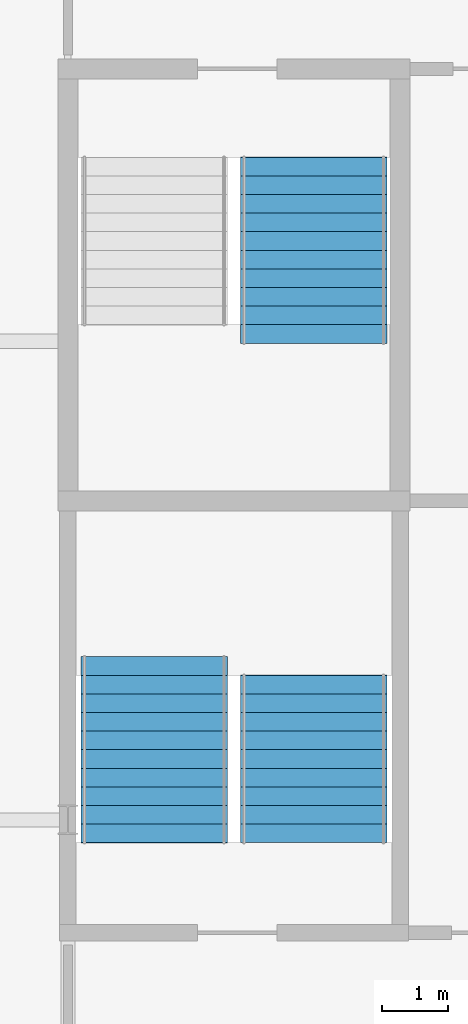
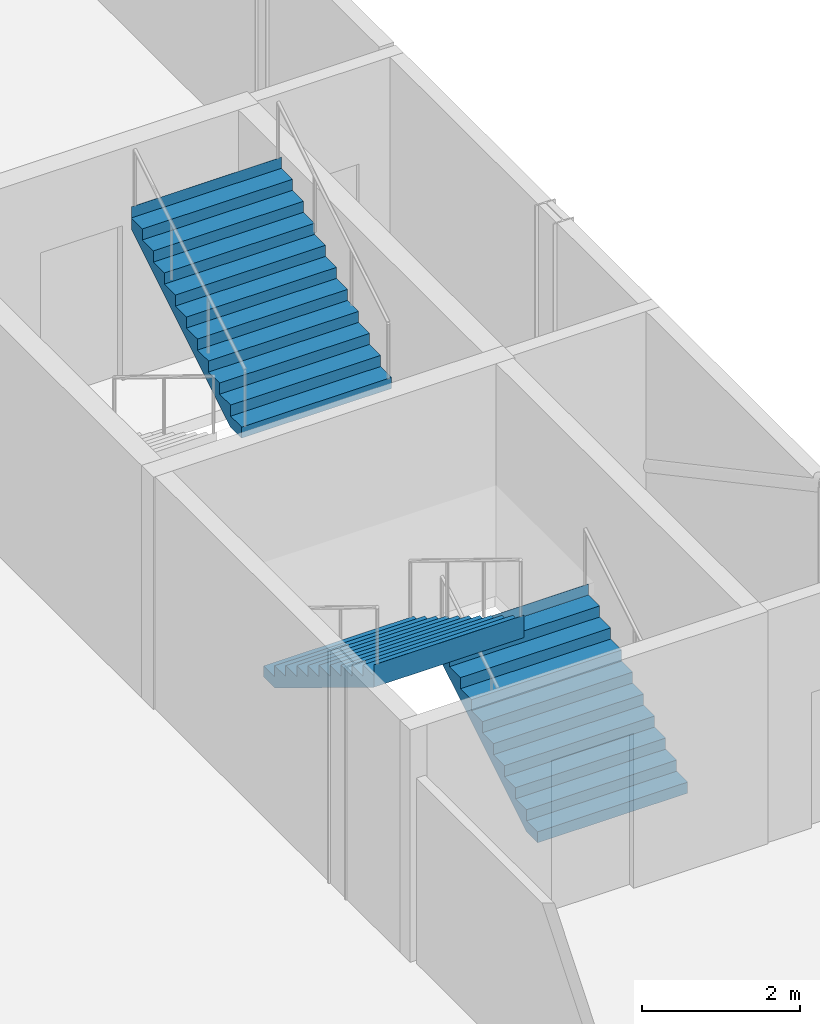
# One storey, part 70 of 90: 3 stair flights, 2 elements without a shape of their own.
"""IFC4 building model written with IfcOpenShell, lengths in metres."""

from ifc_helpers import new_model, si_unit, direction, frame, origin, place, context, subcontext, project, spatial, polyline, outline, extrude, material, type_object, element, aggregate, save


model = new_model("IFC4")

# Units and contexts
model_context = context("Model", 3, precision=1e-05, world=origin(), true_north=direction((0.0, 1.0)))
body_context = subcontext(model_context, "Body", "Model", "MODEL_VIEW")
ifc_project = project(units=[si_unit("LENGTHUNIT", "METRE"), si_unit("AREAUNIT", "SQUARE_METRE"), si_unit("VOLUMEUNIT", "CUBIC_METRE"), si_unit("PLANEANGLEUNIT", "RADIAN"), si_unit("MASSUNIT", "GRAM", prefix="KILO")], contexts=[model_context])

# Site, building, storey
site_placement = place(None, origin())
site = spatial("IfcSite", under=ifc_project, at=site_placement, CompositionType="ELEMENT")
building_placement = place(site_placement, origin())
building = spatial("IfcBuilding", under=site, at=building_placement, Name="Kupolbacken Congress Centre", CompositionType="ELEMENT")
storey_placement = place(building_placement, frame((0.0, 0.0, 3.60009765625)))
storey = spatial("IfcBuildingStorey", under=building, at=storey_placement, Name="L01", CompositionType="ELEMENT", Elevation=3.60009765625)

# Stair, stair flights
ifc_material_1 = material(Name="Concrete C30/37", Category="concrete")
stair_type = type_object("IfcStairType", Name="ST13 stair 2200", PredefinedType="TWO_STRAIGHT_RUN_STAIR", material=ifc_material_1)
stair_1_placement = place(storey_placement, origin())
stair_1 = element("IfcStair", 1, at=stair_1_placement, inside=storey, type_object=stair_type, Name="C/stair/LS4/L01", PredefinedType="NOTDEFINED")
ifc_material_2 = material(Name="Concrete C30/37", Category="concrete")
stair_flight_type_1 = type_object("IfcStairFlightType", Name="FL13 stair flight 2200 x 10 risers", PredefinedType="STRAIGHT", material=ifc_material_2)
stair_flight_1_placement = place(storey_placement, frame((82.89990234375, 93.2548828125, 0.0), z_axis=(0.0, 0.0, 1.0), x_axis=(0.0, 1.0, 0.0)))
stair_flight_1 = element("IfcStairFlight", 2, at=stair_flight_1_placement, type_object=stair_flight_type_1, Name="LS4 flight 1", NumberOfRisers=10, NumberOfTreads=9, PredefinedType="STRAIGHT", RiserHeight=0.171428571, TreadLength=0.28, context=body_context, shape_type="SweptSolid", body=[
    extrude(outline(polyline([(0.0, 0.0), (0.0, 0.0009765625), (0.0, 0.002197265625), (0.0, 0.003173828125), (0.0, 0.004150390625), (0.0, 0.00537109375), (0.0, 0.00634765625), (0.0, 0.007568359375), (0.0, 0.008544921875), (0.0, 0.009521484375), (0.0, 0.0107421875), (0.0, 0.01171875), (0.0, 0.0126953125), (0.0, 0.013916015625), (0.0, 0.014892578125), (0.0, 0.015869140625), (0.0, 0.01708984375), (0.0, 0.01806640625), (0.0, 0.019287109375), (0.0, 0.020263671875), (0.0, 0.021240234375), (0.0, 0.0224609375), (0.0, 0.0234375), (0.0, 0.0244140625), (0.0, 0.025634765625), (0.0, 0.026611328125), (0.0, 0.027587890625), (0.0, 0.02880859375), (0.0, 0.02978515625), (0.0, 0.03076171875), (0.0, 0.031982421875), (0.0, 0.032958984375), (0.0, 0.0341796875), (0.0, 0.03515625), (0.0, 0.0361328125), (0.0, 0.037353515625), (0.0, 0.038330078125), (0.0, 0.039306640625), (0.0, 0.04052734375), (0.0, 0.04150390625), (0.0, 0.04248046875), (0.0, 0.043701171875), (0.0, 0.044677734375), (0.0, 0.0458984375), (0.0, 0.046875), (0.0, 0.0478515625), (0.0, 0.049072265625), (0.0, 0.050048828125), (0.0, 0.051025390625), (0.0, 0.05224609375), (0.0, 0.05322265625), (0.0, 0.05419921875), (0.0, 0.055419921875), (0.0, 0.056396484375), (0.0, 0.0576171875), (0.0, 0.05859375), (0.0, 0.0595703125), (0.0, 0.060791015625), (0.0, 0.061767578125), (0.0, 0.062744140625), (0.0, 0.06396484375), (0.0, 0.06494140625), (0.0, 0.06591796875), (0.0, 0.067138671875), (0.0, 0.068115234375), (0.0, 0.069091796875), (0.0, 0.0703125), (0.0, 0.0712890625), (0.0, 0.072509765625), (0.0, 0.073486328125), (0.0, 0.074462890625), (0.0, 0.07568359375), (0.0, 0.07666015625), (0.0, 0.07763671875), (0.0, 0.078857421875), (0.0, 0.079833984375), (0.0, 0.080810546875), (0.0, 0.08203125), (0.0, 0.0830078125), (0.0, 0.084228515625), (0.0, 0.085205078125), (0.0, 0.086181640625), (0.0, 0.08740234375), (0.0, 0.08837890625), (0.0, 0.08935546875), (0.0, 0.090576171875), (0.0, 0.091552734375), (0.0, 0.092529296875), (0.0, 0.09375), (0.0, 0.0947265625), (0.0, 0.095947265625), (0.0, 0.096923828125), (0.0, 0.097900390625), (0.0, 0.09912109375), (0.0, 0.10009765625), (0.0, 0.10107421875), (0.0, 0.102294921875), (0.0, 0.103271484375), (0.0, 0.104248046875), (0.0, 0.10546875), (0.0, 0.1064453125), (0.0, 0.107421875), (0.0, 0.108642578125), (0.0, 0.109619140625), (0.0, 0.11083984375), (0.0, 0.11181640625), (0.0, 0.11279296875), (0.0, 0.114013671875), (0.0, 0.114990234375), (0.0, 0.115966796875), (0.0, 0.1171875), (0.0, 0.1181640625), (0.0, 0.119140625), (0.0, 0.120361328125), (0.0, 0.121337890625), (0.0, 0.12255859375), (0.0, 0.12353515625), (0.0, 0.12451171875), (0.0, 0.125732421875), (0.0, 0.126708984375), (0.0, 0.127685546875), (0.0, 0.12890625), (0.0, 0.1298828125), (0.0, 0.130859375), (0.0, 0.132080078125), (0.0, 0.133056640625), (0.0, 0.13427734375), (0.0, 0.13525390625), (0.0, 0.13623046875), (0.0, 0.137451171875), (0.0, 0.138427734375), (0.0, 0.139404296875), (0.0, 0.140625), (0.0, 0.1416015625), (0.0, 0.142578125), (0.0, 0.143798828125), (0.0, 0.144775390625), (0.0, 0.145751953125), (0.0, 0.14697265625), (0.0, 0.14794921875), (0.0, 0.149169921875), (0.0, 0.150146484375), (0.0, 0.151123046875), (0.0, 0.15234375), (0.0, 0.1533203125), (0.0, 0.154296875), (0.0, 0.155517578125), (0.0, 0.156494140625), (0.0, 0.157470703125), (0.0, 0.15869140625), (0.0, 0.15966796875), (0.0, 0.160888671875), (0.0, 0.161865234375), (0.0, 0.162841796875), (0.0, 0.1640625), (0.0, 0.1650390625), (0.0, 0.166015625), (0.0, 0.167236328125), (0.0, 0.168212890625), (0.0, 0.169189453125), (0.0, 0.17041015625), (0.0, 0.17138671875), (0.280029296875, 0.17138671875), (0.280029296875, 0.3427734375), (0.56005859375, 0.3427734375), (0.56005859375, 0.514404296875), (0.840087890625, 0.514404296875), (0.840087890625, 0.685791015625), (1.1201171875, 0.685791015625), (1.1201171875, 0.857177734375), (1.39990234375, 0.857177734375), (1.39990234375, 1.028564453125), (1.679931640625, 1.028564453125), (1.679931640625, 1.199951171875), (1.9599609375, 1.199951171875), (1.9599609375, 1.371337890625), (2.239990234375, 1.371337890625), (2.239990234375, 1.54296875), (2.52001953125, 1.54296875), (2.52001953125, 1.71435546875), (2.52197265625, 1.71435546875), (2.52197265625, 1.712158203125), (2.52197265625, 1.7099609375), (2.52197265625, 1.707763671875), (2.52197265625, 1.70556640625), (2.52197265625, 1.70361328125), (2.52197265625, 1.701416015625), (2.52197265625, 1.69921875), (2.52197265625, 1.697021484375), (2.52197265625, 1.69482421875), (2.52197265625, 1.692626953125), (2.52197265625, 1.690673828125), (2.52197265625, 1.6884765625), (2.52197265625, 1.686279296875), (2.52197265625, 1.68408203125), (2.52197265625, 1.681884765625), (2.52197265625, 1.6796875), (2.52197265625, 1.677734375), (2.52197265625, 1.675537109375), (2.52197265625, 1.67333984375), (2.52197265625, 1.671142578125), (2.52197265625, 1.6689453125), (2.52197265625, 1.666748046875), (2.52197265625, 1.664794921875), (2.52197265625, 1.66259765625), (2.52197265625, 1.660400390625), (2.52197265625, 1.658203125), (2.52197265625, 1.656005859375), (2.52197265625, 1.65380859375), (2.52197265625, 1.65185546875), (2.52197265625, 1.649658203125), (2.52197265625, 1.6474609375), (2.52197265625, 1.645263671875), (2.52197265625, 1.64306640625), (2.52197265625, 1.640869140625), (2.52197265625, 1.638916015625), (2.52197265625, 1.63671875), (2.52197265625, 1.634521484375), (2.52197265625, 1.63232421875), (2.52197265625, 1.630126953125), (2.52197265625, 1.6279296875), (2.52197265625, 1.6259765625), (2.52197265625, 1.623779296875), (2.52197265625, 1.62158203125), (2.52197265625, 1.619384765625), (2.52197265625, 1.6171875), (2.52197265625, 1.614990234375), (2.52197265625, 1.613037109375), (2.52197265625, 1.61083984375), (2.52197265625, 1.608642578125), (2.52197265625, 1.6064453125), (2.52197265625, 1.604248046875), (2.52197265625, 1.60205078125), (2.52197265625, 1.60009765625), (2.52197265625, 1.597900390625), (2.52197265625, 1.595703125), (2.52197265625, 1.593505859375), (2.52197265625, 1.59130859375), (2.52197265625, 1.589111328125), (2.52197265625, 1.587158203125), (2.52197265625, 1.5849609375), (2.52197265625, 1.582763671875), (2.52197265625, 1.58056640625), (2.52197265625, 1.578369140625), (2.52197265625, 1.576171875), (2.52197265625, 1.57421875), (2.52197265625, 1.572021484375), (2.52197265625, 1.56982421875), (2.52197265625, 1.567626953125), (2.52197265625, 1.5654296875), (2.52197265625, 1.563232421875), (2.52197265625, 1.561279296875), (2.52197265625, 1.55908203125), (2.52197265625, 1.556884765625), (2.52197265625, 1.5546875), (2.52197265625, 1.552490234375), (2.52197265625, 1.55029296875), (2.52197265625, 1.54833984375), (2.52197265625, 1.546142578125), (2.52197265625, 1.5439453125), (2.52197265625, 1.541748046875), (2.52197265625, 1.53955078125), (2.52197265625, 1.537353515625), (2.52197265625, 1.535400390625), (2.52197265625, 1.533203125), (2.52197265625, 1.531005859375), (2.52197265625, 1.52880859375), (2.52197265625, 1.526611328125), (2.52197265625, 1.5244140625), (2.52197265625, 1.5224609375), (2.52197265625, 1.520263671875), (2.52197265625, 1.51806640625), (2.52197265625, 1.515869140625), (2.52197265625, 1.513671875), (2.52197265625, 1.511474609375), (2.52197265625, 1.509521484375), (2.52197265625, 1.50732421875), (2.52197265625, 1.505126953125), (2.52197265625, 1.5029296875), (2.52197265625, 1.500732421875), (2.52197265625, 1.49853515625), (2.52197265625, 1.49658203125), (2.52197265625, 1.494384765625), (2.52197265625, 1.4921875), (2.52197265625, 1.489990234375), (2.52197265625, 1.48779296875), (2.52197265625, 1.485595703125), (2.52197265625, 1.483642578125), (2.52197265625, 1.4814453125), (2.52197265625, 1.479248046875), (2.52197265625, 1.47705078125), (2.52197265625, 1.474853515625), (2.52197265625, 1.47265625), (2.52197265625, 1.470703125), (2.52197265625, 1.468505859375), (2.52197265625, 1.46630859375), (2.52197265625, 1.464111328125), (2.52197265625, 1.4619140625), (2.52197265625, 1.459716796875), (2.52197265625, 1.457763671875), (2.52197265625, 1.45556640625), (2.52197265625, 1.453369140625), (2.52197265625, 1.451171875), (2.52197265625, 1.448974609375), (2.52197265625, 1.44677734375), (2.52197265625, 1.44482421875), (2.52197265625, 1.442626953125), (2.52197265625, 1.4404296875), (2.52197265625, 1.438232421875), (2.52197265625, 1.43603515625), (2.52197265625, 1.433837890625), (2.52197265625, 1.431884765625), (2.52197265625, 1.4296875), (2.52197265625, 1.427490234375), (2.52197265625, 1.42529296875), (2.52197265625, 1.423095703125), (2.52197265625, 1.4208984375), (2.52197265625, 1.4189453125), (2.52197265625, 1.416748046875), (2.52197265625, 1.41455078125), (2.52197265625, 1.412353515625), (2.52197265625, 1.41015625), (2.52197265625, 1.407958984375), (2.52197265625, 1.406005859375), (2.52197265625, 1.40380859375), (2.52197265625, 1.401611328125), (2.52197265625, 1.3994140625), (2.52197265625, 1.397216796875), (2.52197265625, 1.39501953125), (2.52197265625, 1.39306640625), (2.52197265625, 1.390869140625), (2.52197265625, 1.388671875), (2.52197265625, 1.386474609375), (2.52197265625, 1.38427734375), (2.52197265625, 1.382080078125), (2.52197265625, 1.380126953125), (2.52197265625, 1.3779296875), (2.52197265625, 1.375732421875), (2.52197265625, 1.37353515625), (2.52197265625, 1.371337890625), (2.52197265625, 1.369140625), (2.52197265625, 1.3671875), (0.2890625, 0.0), (0.0, 0.0)])), frame((0.0, 1.10009765625, 0.0), z_axis=(0.0, -1.0, 0.0), x_axis=(1.0, 0.0, 0.0)), (0.0, 0.0, 1.0), 2.199951171875),
])
ifc_material_3 = material(Name="Concrete C30/37", Category="concrete")
stair_flight_type_2 = type_object("IfcStairFlightType", Name="FL14 stair flight 2200 x 11 risers", PredefinedType="STRAIGHT", material=ifc_material_3)
stair_flight_2_placement = place(storey_placement, frame((80.5, 96.054931640625, 1.714111328125), z_axis=(0.0, 0.0, 1.0), x_axis=(0.0, -1.0, 0.0)))
stair_flight_2 = element("IfcStairFlight", 3, at=stair_flight_2_placement, type_object=stair_flight_type_2, Name="LS4 flight 2", NumberOfRisers=11, NumberOfTreads=10, PredefinedType="STRAIGHT", RiserHeight=0.171428571, TreadLength=0.28, context=body_context, shape_type="SweptSolid", body=[
    extrude(outline(polyline([(0.0, 0.0), (0.0, 0.0009765625), (0.0, 0.002197265625), (0.0, 0.003173828125), (0.0, 0.004150390625), (0.0, 0.00537109375), (0.0, 0.00634765625), (0.0, 0.007568359375), (0.0, 0.008544921875), (0.0, 0.009521484375), (0.0, 0.0107421875), (0.0, 0.01171875), (0.0, 0.0126953125), (0.0, 0.013916015625), (0.0, 0.014892578125), (0.0, 0.015869140625), (0.0, 0.01708984375), (0.0, 0.01806640625), (0.0, 0.019287109375), (0.0, 0.020263671875), (0.0, 0.021240234375), (0.0, 0.0224609375), (0.0, 0.0234375), (0.0, 0.0244140625), (0.0, 0.025634765625), (0.0, 0.026611328125), (0.0, 0.027587890625), (0.0, 0.02880859375), (0.0, 0.02978515625), (0.0, 0.03076171875), (0.0, 0.031982421875), (0.0, 0.032958984375), (0.0, 0.0341796875), (0.0, 0.03515625), (0.0, 0.0361328125), (0.0, 0.037353515625), (0.0, 0.038330078125), (0.0, 0.039306640625), (0.0, 0.04052734375), (0.0, 0.04150390625), (0.0, 0.04248046875), (0.0, 0.043701171875), (0.0, 0.044677734375), (0.0, 0.0458984375), (0.0, 0.046875), (0.0, 0.0478515625), (0.0, 0.049072265625), (0.0, 0.050048828125), (0.0, 0.051025390625), (0.0, 0.05224609375), (0.0, 0.05322265625), (0.0, 0.05419921875), (0.0, 0.055419921875), (0.0, 0.056396484375), (0.0, 0.0576171875), (0.0, 0.05859375), (0.0, 0.0595703125), (0.0, 0.060791015625), (0.0, 0.061767578125), (0.0, 0.062744140625), (0.0, 0.06396484375), (0.0, 0.06494140625), (0.0, 0.06591796875), (0.0, 0.067138671875), (0.0, 0.068115234375), (0.0, 0.069091796875), (0.0, 0.0703125), (0.0, 0.0712890625), (0.0, 0.072509765625), (0.0, 0.073486328125), (0.0, 0.074462890625), (0.0, 0.07568359375), (0.0, 0.07666015625), (0.0, 0.07763671875), (0.0, 0.078857421875), (0.0, 0.079833984375), (0.0, 0.080810546875), (0.0, 0.08203125), (0.0, 0.0830078125), (0.0, 0.084228515625), (0.0, 0.085205078125), (0.0, 0.086181640625), (0.0, 0.08740234375), (0.0, 0.08837890625), (0.0, 0.08935546875), (0.0, 0.090576171875), (0.0, 0.091552734375), (0.0, 0.092529296875), (0.0, 0.09375), (0.0, 0.0947265625), (0.0, 0.095947265625), (0.0, 0.096923828125), (0.0, 0.097900390625), (0.0, 0.09912109375), (0.0, 0.10009765625), (0.0, 0.10107421875), (0.0, 0.102294921875), (0.0, 0.103271484375), (0.0, 0.104248046875), (0.0, 0.10546875), (0.0, 0.1064453125), (0.0, 0.107421875), (0.0, 0.108642578125), (0.0, 0.109619140625), (0.0, 0.11083984375), (0.0, 0.11181640625), (0.0, 0.11279296875), (0.0, 0.114013671875), (0.0, 0.114990234375), (0.0, 0.115966796875), (0.0, 0.1171875), (0.0, 0.1181640625), (0.0, 0.119140625), (0.0, 0.120361328125), (0.0, 0.121337890625), (0.0, 0.12255859375), (0.0, 0.12353515625), (0.0, 0.12451171875), (0.0, 0.125732421875), (0.0, 0.126708984375), (0.0, 0.127685546875), (0.0, 0.12890625), (0.0, 0.1298828125), (0.0, 0.130859375), (0.0, 0.132080078125), (0.0, 0.133056640625), (0.0, 0.13427734375), (0.0, 0.13525390625), (0.0, 0.13623046875), (0.0, 0.137451171875), (0.0, 0.138427734375), (0.0, 0.139404296875), (0.0, 0.140625), (0.0, 0.1416015625), (0.0, 0.142578125), (0.0, 0.143798828125), (0.0, 0.144775390625), (0.0, 0.145751953125), (0.0, 0.14697265625), (0.0, 0.14794921875), (0.0, 0.149169921875), (0.0, 0.150146484375), (0.0, 0.151123046875), (0.0, 0.15234375), (0.0, 0.1533203125), (0.0, 0.154296875), (0.0, 0.155517578125), (0.0, 0.156494140625), (0.0, 0.157470703125), (0.0, 0.15869140625), (0.0, 0.15966796875), (0.0, 0.160888671875), (0.0, 0.161865234375), (0.0, 0.162841796875), (0.0, 0.1640625), (0.0, 0.1650390625), (0.0, 0.166015625), (0.0, 0.167236328125), (0.0, 0.168212890625), (0.0, 0.169189453125), (0.0, 0.17041015625), (0.0, 0.17138671875), (0.280029296875, 0.17138671875), (0.280029296875, 0.3427734375), (0.56005859375, 0.3427734375), (0.56005859375, 0.514404296875), (0.840087890625, 0.514404296875), (0.840087890625, 0.685791015625), (1.1201171875, 0.685791015625), (1.1201171875, 0.857177734375), (1.39990234375, 0.857177734375), (1.39990234375, 1.028564453125), (1.679931640625, 1.028564453125), (1.679931640625, 1.199951171875), (1.9599609375, 1.199951171875), (1.9599609375, 1.371337890625), (2.239990234375, 1.371337890625), (2.239990234375, 1.54296875), (2.52001953125, 1.54296875), (2.52001953125, 1.71435546875), (2.800048828125, 1.71435546875), (2.800048828125, 1.8857421875), (2.802001953125, 1.8857421875), (2.802001953125, 1.883544921875), (2.802001953125, 1.88134765625), (2.802001953125, 1.879150390625), (2.802001953125, 1.877197265625), (2.802001953125, 1.875), (2.802001953125, 1.872802734375), (2.802001953125, 1.87060546875), (2.802001953125, 1.868408203125), (2.802001953125, 1.8662109375), (2.802001953125, 1.8642578125), (2.802001953125, 1.862060546875), (2.802001953125, 1.85986328125), (2.802001953125, 1.857666015625), (2.802001953125, 1.85546875), (2.802001953125, 1.853271484375), (2.802001953125, 1.851318359375), (2.802001953125, 1.84912109375), (2.802001953125, 1.846923828125), (2.802001953125, 1.8447265625), (2.802001953125, 1.842529296875), (2.802001953125, 1.84033203125), (2.802001953125, 1.83837890625), (2.802001953125, 1.836181640625), (2.802001953125, 1.833984375), (2.802001953125, 1.831787109375), (2.802001953125, 1.82958984375), (2.802001953125, 1.827392578125), (2.802001953125, 1.825439453125), (2.802001953125, 1.8232421875), (2.802001953125, 1.821044921875), (2.802001953125, 1.81884765625), (2.802001953125, 1.816650390625), (2.802001953125, 1.814453125), (2.802001953125, 1.8125), (2.802001953125, 1.810302734375), (2.802001953125, 1.80810546875), (2.802001953125, 1.805908203125), (2.802001953125, 1.8037109375), (2.802001953125, 1.801513671875), (2.802001953125, 1.799560546875), (2.802001953125, 1.79736328125), (2.802001953125, 1.795166015625), (2.802001953125, 1.79296875), (2.802001953125, 1.790771484375), (2.802001953125, 1.78857421875), (2.802001953125, 1.78662109375), (2.802001953125, 1.784423828125), (2.802001953125, 1.7822265625), (2.802001953125, 1.780029296875), (2.802001953125, 1.77783203125), (2.802001953125, 1.775634765625), (2.802001953125, 1.773681640625), (2.802001953125, 1.771484375), (2.802001953125, 1.769287109375), (2.802001953125, 1.76708984375), (2.802001953125, 1.764892578125), (2.802001953125, 1.7626953125), (2.802001953125, 1.7607421875), (2.802001953125, 1.758544921875), (2.802001953125, 1.75634765625), (2.802001953125, 1.754150390625), (2.802001953125, 1.751953125), (2.802001953125, 1.749755859375), (2.802001953125, 1.747802734375), (2.802001953125, 1.74560546875), (2.802001953125, 1.743408203125), (2.802001953125, 1.7412109375), (2.802001953125, 1.739013671875), (2.802001953125, 1.73681640625), (2.802001953125, 1.73486328125), (2.802001953125, 1.732666015625), (2.802001953125, 1.73046875), (2.802001953125, 1.728271484375), (2.802001953125, 1.72607421875), (2.802001953125, 1.723876953125), (2.802001953125, 1.721923828125), (2.802001953125, 1.7197265625), (2.802001953125, 1.717529296875), (2.802001953125, 1.71533203125), (2.802001953125, 1.713134765625), (2.802001953125, 1.7109375), (2.802001953125, 1.708984375), (2.802001953125, 1.706787109375), (2.802001953125, 1.70458984375), (2.802001953125, 1.702392578125), (2.802001953125, 1.7001953125), (2.802001953125, 1.697998046875), (2.802001953125, 1.696044921875), (2.802001953125, 1.69384765625), (2.802001953125, 1.691650390625), (2.802001953125, 1.689453125), (2.802001953125, 1.687255859375), (2.802001953125, 1.68505859375), (2.802001953125, 1.68310546875), (2.802001953125, 1.680908203125), (2.802001953125, 1.6787109375), (2.802001953125, 1.676513671875), (2.802001953125, 1.67431640625), (2.802001953125, 1.672119140625), (2.802001953125, 1.670166015625), (2.802001953125, 1.66796875), (2.802001953125, 1.665771484375), (2.802001953125, 1.66357421875), (2.802001953125, 1.661376953125), (2.802001953125, 1.6591796875), (2.802001953125, 1.6572265625), (2.802001953125, 1.655029296875), (2.802001953125, 1.65283203125), (2.802001953125, 1.650634765625), (2.802001953125, 1.6484375), (2.802001953125, 1.646240234375), (2.802001953125, 1.644287109375), (2.802001953125, 1.64208984375), (2.802001953125, 1.639892578125), (2.802001953125, 1.6376953125), (2.802001953125, 1.635498046875), (2.802001953125, 1.63330078125), (2.802001953125, 1.63134765625), (2.802001953125, 1.629150390625), (2.802001953125, 1.626953125), (2.802001953125, 1.624755859375), (2.802001953125, 1.62255859375), (2.802001953125, 1.620361328125), (2.802001953125, 1.618408203125), (2.802001953125, 1.6162109375), (2.802001953125, 1.614013671875), (2.802001953125, 1.61181640625), (2.802001953125, 1.609619140625), (2.802001953125, 1.607421875), (2.802001953125, 1.60546875), (2.802001953125, 1.603271484375), (2.802001953125, 1.60107421875), (2.802001953125, 1.598876953125), (2.802001953125, 1.5966796875), (2.802001953125, 1.594482421875), (2.802001953125, 1.592529296875), (2.802001953125, 1.59033203125), (2.802001953125, 1.588134765625), (2.802001953125, 1.5859375), (2.802001953125, 1.583740234375), (2.802001953125, 1.58154296875), (2.802001953125, 1.57958984375), (2.802001953125, 1.577392578125), (2.802001953125, 1.5751953125), (2.802001953125, 1.572998046875), (2.802001953125, 1.57080078125), (2.802001953125, 1.568603515625), (2.802001953125, 1.566650390625), (2.802001953125, 1.564453125), (2.802001953125, 1.562255859375), (2.802001953125, 1.56005859375), (2.802001953125, 1.557861328125), (2.802001953125, 1.5556640625), (2.802001953125, 1.5537109375), (2.802001953125, 1.551513671875), (2.802001953125, 1.54931640625), (2.802001953125, 1.547119140625), (2.802001953125, 1.544921875), (2.802001953125, 1.542724609375), (2.802001953125, 1.540771484375), (2.802001953125, 1.53857421875), (0.2890625, 0.0), (0.0, 0.0)])), frame((0.0, 1.10009765625, 0.0), z_axis=(0.0, -1.0, 0.0), x_axis=(1.0, 0.0, 0.0)), (0.0, 0.0, 1.0), 2.199951171875),
])
aggregate(stair_1, [stair_flight_1, stair_flight_2])

# Stair, stair flight
stair_2_placement = place(storey_placement, origin())
stair_2 = element("IfcStair", 4, at=stair_2_placement, inside=storey, type_object=stair_type, Name="C/stair/LS2/L01", PredefinedType="NOTDEFINED")
stair_flight_3_placement = place(storey_placement, frame((82.89990234375, 100.77001953125, 1.714111328125), z_axis=(0.0, 0.0, 1.0), x_axis=(0.0, 1.0, 0.0)))
stair_flight_3 = element("IfcStairFlight", 5, at=stair_flight_3_placement, type_object=stair_flight_type_2, Name="LS2 flight 2", NumberOfRisers=11, NumberOfTreads=10, PredefinedType="STRAIGHT", RiserHeight=0.171428571, TreadLength=0.28, context=body_context, shape_type="SweptSolid", body=[
    extrude(outline(polyline([(0.0, 0.0), (0.0, 0.0009765625), (0.0, 0.002197265625), (0.0, 0.003173828125), (0.0, 0.004150390625), (0.0, 0.00537109375), (0.0, 0.00634765625), (0.0, 0.007568359375), (0.0, 0.008544921875), (0.0, 0.009521484375), (0.0, 0.0107421875), (0.0, 0.01171875), (0.0, 0.0126953125), (0.0, 0.013916015625), (0.0, 0.014892578125), (0.0, 0.015869140625), (0.0, 0.01708984375), (0.0, 0.01806640625), (0.0, 0.019287109375), (0.0, 0.020263671875), (0.0, 0.021240234375), (0.0, 0.0224609375), (0.0, 0.0234375), (0.0, 0.0244140625), (0.0, 0.025634765625), (0.0, 0.026611328125), (0.0, 0.027587890625), (0.0, 0.02880859375), (0.0, 0.02978515625), (0.0, 0.03076171875), (0.0, 0.031982421875), (0.0, 0.032958984375), (0.0, 0.0341796875), (0.0, 0.03515625), (0.0, 0.0361328125), (0.0, 0.037353515625), (0.0, 0.038330078125), (0.0, 0.039306640625), (0.0, 0.04052734375), (0.0, 0.04150390625), (0.0, 0.04248046875), (0.0, 0.043701171875), (0.0, 0.044677734375), (0.0, 0.0458984375), (0.0, 0.046875), (0.0, 0.0478515625), (0.0, 0.049072265625), (0.0, 0.050048828125), (0.0, 0.051025390625), (0.0, 0.05224609375), (0.0, 0.05322265625), (0.0, 0.05419921875), (0.0, 0.055419921875), (0.0, 0.056396484375), (0.0, 0.0576171875), (0.0, 0.05859375), (0.0, 0.0595703125), (0.0, 0.060791015625), (0.0, 0.061767578125), (0.0, 0.062744140625), (0.0, 0.06396484375), (0.0, 0.06494140625), (0.0, 0.06591796875), (0.0, 0.067138671875), (0.0, 0.068115234375), (0.0, 0.069091796875), (0.0, 0.0703125), (0.0, 0.0712890625), (0.0, 0.072509765625), (0.0, 0.073486328125), (0.0, 0.074462890625), (0.0, 0.07568359375), (0.0, 0.07666015625), (0.0, 0.07763671875), (0.0, 0.078857421875), (0.0, 0.079833984375), (0.0, 0.080810546875), (0.0, 0.08203125), (0.0, 0.0830078125), (0.0, 0.084228515625), (0.0, 0.085205078125), (0.0, 0.086181640625), (0.0, 0.08740234375), (0.0, 0.08837890625), (0.0, 0.08935546875), (0.0, 0.090576171875), (0.0, 0.091552734375), (0.0, 0.092529296875), (0.0, 0.09375), (0.0, 0.0947265625), (0.0, 0.095947265625), (0.0, 0.096923828125), (0.0, 0.097900390625), (0.0, 0.09912109375), (0.0, 0.10009765625), (0.0, 0.10107421875), (0.0, 0.102294921875), (0.0, 0.103271484375), (0.0, 0.104248046875), (0.0, 0.10546875), (0.0, 0.1064453125), (0.0, 0.107421875), (0.0, 0.108642578125), (0.0, 0.109619140625), (0.0, 0.11083984375), (0.0, 0.11181640625), (0.0, 0.11279296875), (0.0, 0.114013671875), (0.0, 0.114990234375), (0.0, 0.115966796875), (0.0, 0.1171875), (0.0, 0.1181640625), (0.0, 0.119140625), (0.0, 0.120361328125), (0.0, 0.121337890625), (0.0, 0.12255859375), (0.0, 0.12353515625), (0.0, 0.12451171875), (0.0, 0.125732421875), (0.0, 0.126708984375), (0.0, 0.127685546875), (0.0, 0.12890625), (0.0, 0.1298828125), (0.0, 0.130859375), (0.0, 0.132080078125), (0.0, 0.133056640625), (0.0, 0.13427734375), (0.0, 0.13525390625), (0.0, 0.13623046875), (0.0, 0.137451171875), (0.0, 0.138427734375), (0.0, 0.139404296875), (0.0, 0.140625), (0.0, 0.1416015625), (0.0, 0.142578125), (0.0, 0.143798828125), (0.0, 0.144775390625), (0.0, 0.145751953125), (0.0, 0.14697265625), (0.0, 0.14794921875), (0.0, 0.149169921875), (0.0, 0.150146484375), (0.0, 0.151123046875), (0.0, 0.15234375), (0.0, 0.1533203125), (0.0, 0.154296875), (0.0, 0.155517578125), (0.0, 0.156494140625), (0.0, 0.157470703125), (0.0, 0.15869140625), (0.0, 0.15966796875), (0.0, 0.160888671875), (0.0, 0.161865234375), (0.0, 0.162841796875), (0.0, 0.1640625), (0.0, 0.1650390625), (0.0, 0.166015625), (0.0, 0.167236328125), (0.0, 0.168212890625), (0.0, 0.169189453125), (0.0, 0.17041015625), (0.0, 0.17138671875), (0.280029296875, 0.17138671875), (0.280029296875, 0.3427734375), (0.56005859375, 0.3427734375), (0.56005859375, 0.514404296875), (0.840087890625, 0.514404296875), (0.840087890625, 0.685791015625), (1.1201171875, 0.685791015625), (1.1201171875, 0.857177734375), (1.39990234375, 0.857177734375), (1.39990234375, 1.028564453125), (1.679931640625, 1.028564453125), (1.679931640625, 1.199951171875), (1.9599609375, 1.199951171875), (1.9599609375, 1.371337890625), (2.239990234375, 1.371337890625), (2.239990234375, 1.54296875), (2.52001953125, 1.54296875), (2.52001953125, 1.71435546875), (2.800048828125, 1.71435546875), (2.800048828125, 1.8857421875), (2.802001953125, 1.8857421875), (2.802001953125, 1.883544921875), (2.802001953125, 1.88134765625), (2.802001953125, 1.879150390625), (2.802001953125, 1.877197265625), (2.802001953125, 1.875), (2.802001953125, 1.872802734375), (2.802001953125, 1.87060546875), (2.802001953125, 1.868408203125), (2.802001953125, 1.8662109375), (2.802001953125, 1.8642578125), (2.802001953125, 1.862060546875), (2.802001953125, 1.85986328125), (2.802001953125, 1.857666015625), (2.802001953125, 1.85546875), (2.802001953125, 1.853271484375), (2.802001953125, 1.851318359375), (2.802001953125, 1.84912109375), (2.802001953125, 1.846923828125), (2.802001953125, 1.8447265625), (2.802001953125, 1.842529296875), (2.802001953125, 1.84033203125), (2.802001953125, 1.83837890625), (2.802001953125, 1.836181640625), (2.802001953125, 1.833984375), (2.802001953125, 1.831787109375), (2.802001953125, 1.82958984375), (2.802001953125, 1.827392578125), (2.802001953125, 1.825439453125), (2.802001953125, 1.8232421875), (2.802001953125, 1.821044921875), (2.802001953125, 1.81884765625), (2.802001953125, 1.816650390625), (2.802001953125, 1.814453125), (2.802001953125, 1.8125), (2.802001953125, 1.810302734375), (2.802001953125, 1.80810546875), (2.802001953125, 1.805908203125), (2.802001953125, 1.8037109375), (2.802001953125, 1.801513671875), (2.802001953125, 1.799560546875), (2.802001953125, 1.79736328125), (2.802001953125, 1.795166015625), (2.802001953125, 1.79296875), (2.802001953125, 1.790771484375), (2.802001953125, 1.78857421875), (2.802001953125, 1.78662109375), (2.802001953125, 1.784423828125), (2.802001953125, 1.7822265625), (2.802001953125, 1.780029296875), (2.802001953125, 1.77783203125), (2.802001953125, 1.775634765625), (2.802001953125, 1.773681640625), (2.802001953125, 1.771484375), (2.802001953125, 1.769287109375), (2.802001953125, 1.76708984375), (2.802001953125, 1.764892578125), (2.802001953125, 1.7626953125), (2.802001953125, 1.7607421875), (2.802001953125, 1.758544921875), (2.802001953125, 1.75634765625), (2.802001953125, 1.754150390625), (2.802001953125, 1.751953125), (2.802001953125, 1.749755859375), (2.802001953125, 1.747802734375), (2.802001953125, 1.74560546875), (2.802001953125, 1.743408203125), (2.802001953125, 1.7412109375), (2.802001953125, 1.739013671875), (2.802001953125, 1.73681640625), (2.802001953125, 1.73486328125), (2.802001953125, 1.732666015625), (2.802001953125, 1.73046875), (2.802001953125, 1.728271484375), (2.802001953125, 1.72607421875), (2.802001953125, 1.723876953125), (2.802001953125, 1.721923828125), (2.802001953125, 1.7197265625), (2.802001953125, 1.717529296875), (2.802001953125, 1.71533203125), (2.802001953125, 1.713134765625), (2.802001953125, 1.7109375), (2.802001953125, 1.708984375), (2.802001953125, 1.706787109375), (2.802001953125, 1.70458984375), (2.802001953125, 1.702392578125), (2.802001953125, 1.7001953125), (2.802001953125, 1.697998046875), (2.802001953125, 1.696044921875), (2.802001953125, 1.69384765625), (2.802001953125, 1.691650390625), (2.802001953125, 1.689453125), (2.802001953125, 1.687255859375), (2.802001953125, 1.68505859375), (2.802001953125, 1.68310546875), (2.802001953125, 1.680908203125), (2.802001953125, 1.6787109375), (2.802001953125, 1.676513671875), (2.802001953125, 1.67431640625), (2.802001953125, 1.672119140625), (2.802001953125, 1.670166015625), (2.802001953125, 1.66796875), (2.802001953125, 1.665771484375), (2.802001953125, 1.66357421875), (2.802001953125, 1.661376953125), (2.802001953125, 1.6591796875), (2.802001953125, 1.6572265625), (2.802001953125, 1.655029296875), (2.802001953125, 1.65283203125), (2.802001953125, 1.650634765625), (2.802001953125, 1.6484375), (2.802001953125, 1.646240234375), (2.802001953125, 1.644287109375), (2.802001953125, 1.64208984375), (2.802001953125, 1.639892578125), (2.802001953125, 1.6376953125), (2.802001953125, 1.635498046875), (2.802001953125, 1.63330078125), (2.802001953125, 1.63134765625), (2.802001953125, 1.629150390625), (2.802001953125, 1.626953125), (2.802001953125, 1.624755859375), (2.802001953125, 1.62255859375), (2.802001953125, 1.620361328125), (2.802001953125, 1.618408203125), (2.802001953125, 1.6162109375), (2.802001953125, 1.614013671875), (2.802001953125, 1.61181640625), (2.802001953125, 1.609619140625), (2.802001953125, 1.607421875), (2.802001953125, 1.60546875), (2.802001953125, 1.603271484375), (2.802001953125, 1.60107421875), (2.802001953125, 1.598876953125), (2.802001953125, 1.5966796875), (2.802001953125, 1.594482421875), (2.802001953125, 1.592529296875), (2.802001953125, 1.59033203125), (2.802001953125, 1.588134765625), (2.802001953125, 1.5859375), (2.802001953125, 1.583740234375), (2.802001953125, 1.58154296875), (2.802001953125, 1.57958984375), (2.802001953125, 1.577392578125), (2.802001953125, 1.5751953125), (2.802001953125, 1.572998046875), (2.802001953125, 1.57080078125), (2.802001953125, 1.568603515625), (2.802001953125, 1.566650390625), (2.802001953125, 1.564453125), (2.802001953125, 1.562255859375), (2.802001953125, 1.56005859375), (2.802001953125, 1.557861328125), (2.802001953125, 1.5556640625), (2.802001953125, 1.5537109375), (2.802001953125, 1.551513671875), (2.802001953125, 1.54931640625), (2.802001953125, 1.547119140625), (2.802001953125, 1.544921875), (2.802001953125, 1.542724609375), (2.802001953125, 1.540771484375), (2.802001953125, 1.53857421875), (0.2890625, 0.0), (0.0, 0.0)])), frame((0.0, 1.10009765625, 0.0), z_axis=(0.0, -1.0, 0.0), x_axis=(1.0, 0.0, 0.0)), (0.0, 0.0, 1.0), 2.199951171875),
])
aggregate(stair_2, [stair_flight_3])

save(model, "model.ifc")
